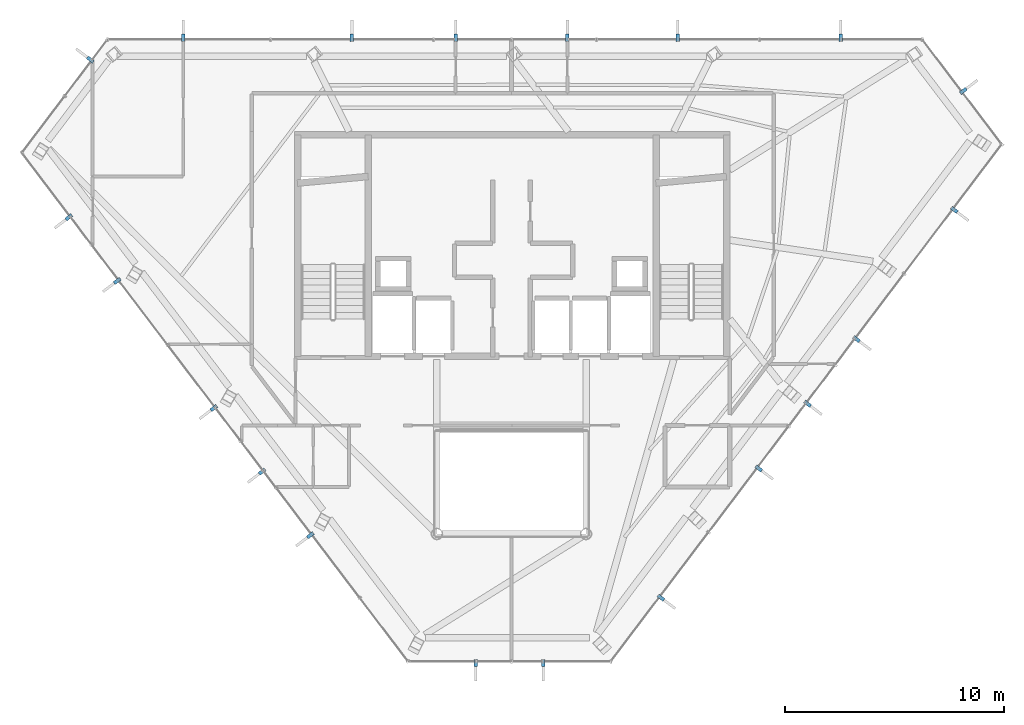
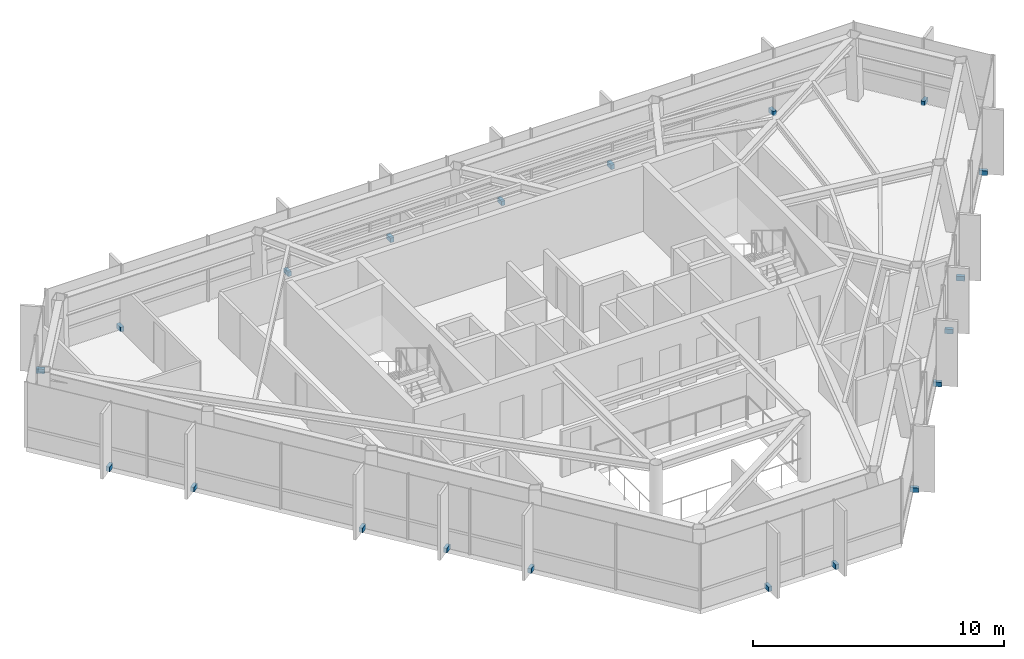
# One storey, part 24 of 25: 20 discrete accessories.
"""IFC4 building model written with IfcOpenShell, lengths in metres."""

from ifc_helpers import new_model, si_unit, direction, frame, origin, origin_2d, place, context, subcontext, project, spatial, rectangle, extrude, material, type_object, element, save


model = new_model("IFC4")

# Units and contexts
model_context = context("Model", 3, precision=1e-05, world=origin(), true_north=direction((0.0, 1.0)))
body_context = subcontext(model_context, "Body", "Model", "MODEL_VIEW")
ifc_project = project(units=[si_unit("LENGTHUNIT", "METRE"), si_unit("AREAUNIT", "SQUARE_METRE"), si_unit("VOLUMEUNIT", "CUBIC_METRE"), si_unit("PLANEANGLEUNIT", "RADIAN"), si_unit("MASSUNIT", "GRAM", prefix="KILO")], contexts=[model_context])

# Site, building, storey
site_placement = place(None, origin())
site = spatial("IfcSite", under=ifc_project, at=site_placement, CompositionType="ELEMENT")
building_placement = place(site_placement, origin())
building = spatial("IfcBuilding", under=site, at=building_placement, Name="Zarrinselat Tower", CompositionType="ELEMENT")
storey_placement = place(building_placement, frame((0.0, 0.0, 275.39990234375)))
storey = spatial("IfcBuildingStorey", under=building, at=storey_placement, Name="L70", CompositionType="ELEMENT", Elevation=275.39990234375)

# Discrete accessories
ifc_material = material(Name="Steel S355J2", Category="steel")
discrete_accessory_type = type_object("IfcDiscreteAccessoryType", Name="ACC-FIN-BRACKET", PredefinedType="BRACKET", material=ifc_material)
for number, where, z_axis, x_axis, name in (
    (1, (53.412109375, 47.820068359375, -0.0498046875), (0.0, 0.0, 1.0), (0.0, 1.0, 0.0), "L70 Fin Fixing Bracket CW-L70-E01-01"),
    (2, (45.9833984375, 47.820068359375, -0.0498046875), (0.0, 0.0, 1.0), (0.0, 1.0, 0.0), "L70 Fin Fixing Bracket CW-L70-E01-03"),
    (3, (40.949951171875, 47.820068359375, -0.0498046875), (0.0, 0.0, 1.0), (0.0, 1.0, 0.0), "L70 Fin Fixing Bracket CW-L70-E01-05"),
    (4, (35.85009765625, 47.820068359375, -0.0498046875), (0.0, 0.0, 1.0), (0.0, 1.0, 0.0), "L70 Fin Fixing Bracket CW-L70-E01-07"),
    (5, (31.12646484375, 47.820068359375, -0.0498046875), (0.0, 0.0, 1.0), (0.0, 1.0, 0.0), "L70 Fin Fixing Bracket CW-L70-E01-09"),
    (6, (23.439208984375, 47.820068359375, -0.0498046875), (0.0, 0.0, 1.0), (0.0, 1.0, 0.0), "L70 Fin Fixing Bracket CW-L70-E01-11"),
    (7, (19.19873046875, 46.827880859375, -0.0498046875), (0.0, 0.0, 1.0), (-0.797604826305, 0.603180355329, 0.0), "L70 Fin Fixing Bracket CW-L70-E02-01"),
    (8, (18.22119140625, 39.639892578125, -0.0498046875), (0.0, 0.0, 1.0), (-0.796386839721, -0.604787567266, 0.0), "L70 Fin Fixing Bracket CW-L70-E03-01"),
    (9, (20.422607421875, 36.74072265625, -0.0498046875), (0.0, 0.0, 1.0), (-0.796386839721, -0.604787567266, 0.0), "L70 Fin Fixing Bracket CW-L70-E03-03"),
    (10, (24.826171875, 30.9423828125, -0.0498046875), (0.0, 0.0, 1.0), (-0.796386839721, -0.604787567266, 0.0), "L70 Fin Fixing Bracket CW-L70-E03-05"),
    (11, (27.02783203125, 28.043212890625, -0.0498046875), (0.0, 0.0, 1.0), (-0.796386839721, -0.604787567266, 0.0), "L70 Fin Fixing Bracket CW-L70-E03-07"),
    (12, (29.2294921875, 25.14404296875, -0.0498046875), (0.0, 0.0, 1.0), (-0.796386839721, -0.604787567266, 0.0), "L70 Fin Fixing Bracket CW-L70-E03-09"),
    (13, (36.76806640625, 19.318115234375, -0.0498046875), (0.0, 0.0, 1.0), (0.0, -1.0, 0.0), "L70 Fin Fixing Bracket CW-L70-E04-01"),
    (14, (39.84765625, 19.318115234375, -0.0498046875), (0.0, 0.0, 1.0), (0.0, -1.0, 0.0), "L70 Fin Fixing Bracket CW-L70-E04-03"),
    (15, (45.2119140625, 22.293212890625, -0.0498046875), (0.0, 0.0, 1.0), (0.797612970041, -0.603169586453, 0.0), "L70 Fin Fixing Bracket CW-L70-E05-01"),
    (16, (49.669677734375, 28.18798828125, -0.0498046875), (0.0, 0.0, 1.0), (0.797612970041, -0.603169586453, 0.0), "L70 Fin Fixing Bracket CW-L70-E05-03"),
    (17, (51.8984375, 31.135498046875, -0.0498046875), (0.0, 0.0, 1.0), (0.797612970041, -0.603169586453, 0.0), "L70 Fin Fixing Bracket CW-L70-E05-05"),
    (18, (54.127197265625, 34.0830078125, -0.0498046875), (0.0, 0.0, 1.0), (0.797612970041, -0.603169586453, 0.0), "L70 Fin Fixing Bracket CW-L70-E05-07"),
    (19, (58.585205078125, 39.977783203125, -0.0498046875), (0.0, 0.0, 1.0), (0.797612970041, -0.603169586453, 0.0), "L70 Fin Fixing Bracket CW-L70-E05-09"),
    (20, (58.997802734375, 45.40087890625, -0.0498046875), (0.0, 0.0, 1.0), (0.796390917907, 0.604782197055, 0.0), "L70 Fin Fixing Bracket CW-L70-E06-01"),
):
    element("IfcDiscreteAccessory", number, at=place(storey_placement, frame(where, z_axis=z_axis, x_axis=x_axis)), inside=storey, type_object=discrete_accessory_type, Name=name, PredefinedType="BRACKET", context=body_context, shape_type="SweptSolid", body=[
        extrude(rectangle(XDim=0.340087890625, YDim=0.159912109375, at=origin_2d()), origin(), (0.0, 0.0, 1.0), 0.219970703125),
    ])

save(model, "model.ifc")
